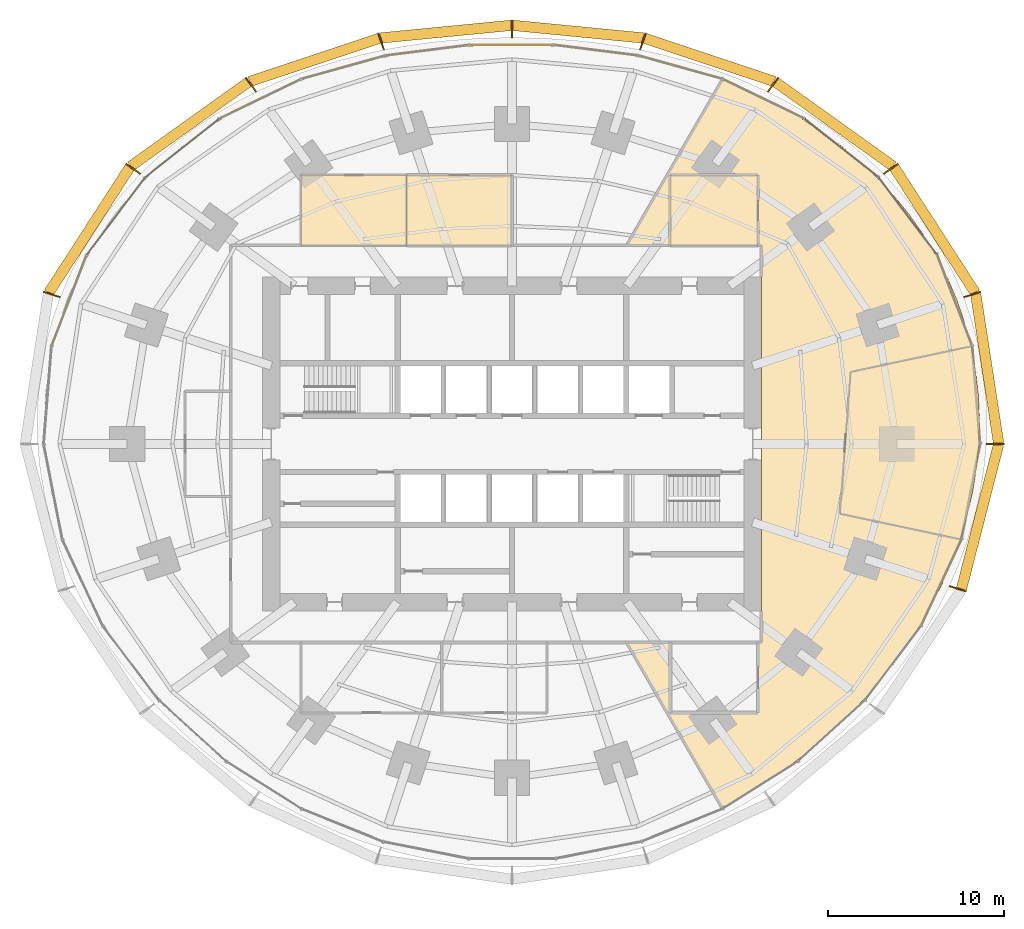
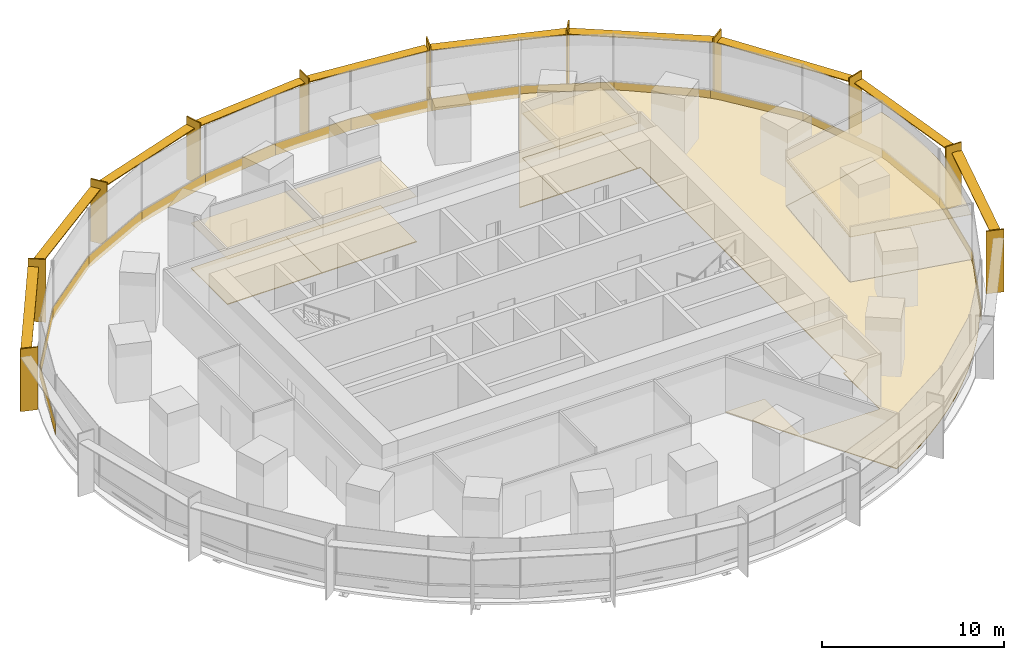
# One storey, part 15 of 15: 25 coverings, 21 shading devices.
"""IFC4 building model written with IfcOpenShell, lengths in metres."""

from ifc_helpers import new_model, si_unit, direction, frame, origin, origin_2d, place, context, subcontext, project, spatial, polyline, rectangle, outline, extrude, material, layer, layer_set, type_object, element, save


model = new_model("IFC4")

# Units and contexts
model_context = context("Model", 3, precision=1e-05, world=origin(), true_north=direction((0.0, 1.0)))
body_context = subcontext(model_context, "Body", "Model", "MODEL_VIEW")
ifc_project = project(units=[si_unit("LENGTHUNIT", "METRE"), si_unit("AREAUNIT", "SQUARE_METRE"), si_unit("VOLUMEUNIT", "CUBIC_METRE"), si_unit("PLANEANGLEUNIT", "RADIAN"), si_unit("MASSUNIT", "GRAM", prefix="KILO")], contexts=[model_context])

# Site, building, storey
site_placement = place(None, origin())
site = spatial("IfcSite", under=ifc_project, at=site_placement, CompositionType="ELEMENT")
building_placement = place(site_placement, origin())
building = spatial("IfcBuilding", under=site, at=building_placement, Name="Marramba Exchange Tower", CompositionType="ELEMENT")
storey_placement = place(building_placement, frame((0.0, 0.0, 78.39990234375)))
storey = spatial("IfcBuildingStorey", under=building, at=storey_placement, Name="L18", CompositionType="ELEMENT", Elevation=78.39990234375)

# Shading devices
ifc_material_1 = material(Name="Aluminium blade, timber-look bronze finish", Category="wood")
ifc_layer_1 = layer(ifc_material_1, 0.080078125)
ifc_layer_set_1 = layer_set([ifc_layer_1], Name="Floor-edge blade 1000x80")
shading_device_type_1 = type_object("IfcShadingDeviceType", Name="Floor-edge blade 1000x80", PredefinedType="USERDEFINED", material=ifc_layer_set_1)
for number, where, z_axis, x_axis, name in (
    (1, (27.5, 0.0, -0.15966796875), (0.0, 0.0, 1.0), (1.0, 0.0, 0.0), "Floor-edge blade FB1 L18 TC01"),
    (2, (26.193115234375, 8.5107421875, -0.15966796875), (0.0, 0.0, 1.0), (0.951056516295, 0.309016994375, 0.0), "Floor-edge blade FB1 L18 TC02"),
    (3, (21.56298828125, 15.66650390625, -0.15966796875), (0.0, 0.0, 1.0), (0.809016994375, 0.587785252292, 0.0), "Floor-edge blade FB1 L18 TC03"),
    (4, (14.857666015625, 20.449951171875, -0.15966796875), (0.0, 0.0, 1.0), (0.587785252292, 0.809016994375, 0.0), "Floor-edge blade FB1 L18 TC04"),
    (5, (7.444091796875, 22.910888671875, -0.15966796875), (0.0, 0.0, 1.0), (0.309016994375, 0.951056516295, 0.0), "Floor-edge blade FB1 L18 TC05"),
    (6, (0.0, 23.6279296875, -0.15966796875), (0.0, 0.0, 1.0), (0.0, 1.0, 0.0), "Floor-edge blade FB1 L18 TC06"),
    (7, (-7.444091796875, 22.910888671875, -0.15966796875), (0.0, 0.0, 1.0), (-0.309016994375, 0.951056516295, 0.0), "Floor-edge blade FB1 L18 TC07"),
    (8, (-14.857666015625, 20.449951171875, -0.15966796875), (0.0, 0.0, 1.0), (-0.587785252292, 0.809016994375, 0.0), "Floor-edge blade FB1 L18 TC08"),
    (9, (-21.56298828125, 15.66650390625, -0.15966796875), (0.0, 0.0, 1.0), (-0.809016994375, 0.587785252292, 0.0), "Floor-edge blade FB1 L18 TC09"),
    (10, (-26.193115234375, 8.5107421875, -0.15966796875), (0.0, 0.0, 1.0), (-0.951056516295, 0.309016994375, 0.0), "Floor-edge blade FB1 L18 TC10"),
    (11, (25.3740234375, -8.24462890625, -0.15966796875), (0.0, 0.0, 1.0), (0.951056516295, -0.309016994375, 0.0), "Floor-edge blade FB1 L18 TC20"),
):
    element("IfcShadingDevice", number, at=place(storey_placement, frame(where, z_axis=z_axis, x_axis=x_axis)), inside=storey, type_object=shading_device_type_1, Name=name, ObjectType="FIN", PredefinedType="USERDEFINED", context=body_context, shape_type="SweptSolid", body=[
        extrude(rectangle(XDim=1.0, YDim=0.080078125, at=origin_2d()), origin(), (0.0, 0.0, 1.0), 4.199951171875),
    ])

# Coverings
ifc_material_2 = material(Name="Steel raised access floor panels", Category="steel")
ifc_layer_2 = layer(ifc_material_2, 0.050048828125)
ifc_layer_set_2 = layer_set([ifc_layer_2], Name="Raised access floor 300")
covering_type_1 = type_object("IfcCoveringType", Name="Raised access floor 300", PredefinedType="FLOORING", material=ifc_layer_set_2)
covering_1_placement = place(storey_placement, frame((0.0, 0.0, 0.25)))
element("IfcCovering", 12, at=covering_1_placement, inside=storey, type_object=covering_type_1, Name="Raised access floor RAF1 L18 Market Operations Office", PredefinedType="FLOORING", context=body_context, shape_type="SweptSolid", body=[
    extrude(outline(polyline([(14.199951171875, -9.5), (14.199951171875, 9.5), (14.199951171875, 11.300048828125), (14.0, 11.300048828125), (14.0, 15.300048828125), (9.0, 15.300048828125), (9.0, 11.300048828125), (6.524169921875, 11.300048828125), (11.94921875, 20.69677734375), (13.135986328125, 20.2275390625), (14.31103515625, 19.697509765625), (15.4697265625, 19.103759765625), (16.60693359375, 18.44384765625), (17.71630859375, 17.71630859375), (18.791259765625, 16.919677734375), (19.8251953125, 16.05419921875), (20.810791015625, 15.119873046875), (21.740478515625, 14.118408203125), (22.607177734375, 13.05224609375), (23.40380859375, 11.9248046875), (24.12353515625, 10.740478515625), (24.76025390625, 9.50439453125), (25.30859375, 8.22314453125), (25.763916015625, 6.9033203125), (26.123291015625, 5.552734375), (19.276123046875, 4.097412109375), (18.659423828125, -3.96630859375), (25.50634765625, -5.421630859375), (25.033935546875, -6.707763671875), (24.489501953125, -7.95703125), (23.879150390625, -9.166259765625), (23.208251953125, -10.3330078125), (22.482177734375, -11.455322265625), (21.7060546875, -12.531982421875), (20.88427734375, -13.5625), (20.020751953125, -14.5458984375), (19.119384765625, -15.482421875), (18.1826171875, -16.371826171875), (17.213623046875, -17.213623046875), (16.21435546875, -18.0078125), (15.1865234375, -18.75390625), (14.132080078125, -19.451171875), (13.052490234375, -20.09912109375), (11.94921875, -20.69677734375), (6.524169921875, -11.300048828125), (9.0, -11.300048828125), (9.0, -15.300048828125), (14.0, -15.300048828125), (14.0, -11.300048828125), (14.199951171875, -11.300048828125), (14.199951171875, -9.5)])), origin(), (0.0, 0.0, 1.0), 0.050048828125),
])
covering_2_placement = place(storey_placement, frame((0.0, 0.0, 0.25)))
element("IfcCovering", 13, at=covering_2_placement, inside=storey, type_object=covering_type_1, Name="Raised access floor RAF1 L18 Market Control Room", PredefinedType="FLOORING", context=body_context, shape_type="SweptSolid", body=[
    extrude(outline(polyline([(26.2470703125, 4.89990234375), (26.3837890625, 4.1787109375), (26.45703125, 3.54736328125), (26.544921875, 2.7900390625), (26.6064453125, 1.394287109375), (26.570068359375, 0.0), (26.43798828125, -1.385498046875), (26.213623046875, -2.755126953125), (26.025390625, -3.566650390625), (25.9013671875, -4.102294921875), (25.69873046875, -4.779541015625), (25.50634765625, -5.421630859375), (18.659423828125, -3.96630859375), (19.276123046875, 4.097412109375), (26.123291015625, 5.552734375), (26.2470703125, 4.89990234375)])), origin(), (0.0, 0.0, 1.0), 0.050048828125),
])
covering_3_placement = place(storey_placement, frame((0.0, 0.0, 0.25)))
element("IfcCovering", 14, at=covering_3_placement, inside=storey, type_object=covering_type_1, Name="Raised access floor RAF1 L18 Meeting Room 1", PredefinedType="FLOORING", context=body_context, shape_type="SweptSolid", body=[
    extrude(outline(polyline([(14.0, 11.300048828125), (9.0, 11.300048828125), (9.0, 15.300048828125), (14.0, 15.300048828125), (14.0, 11.300048828125)])), origin(), (0.0, 0.0, 1.0), 0.050048828125),
])
covering_4_placement = place(storey_placement, frame((0.0, 0.0, 0.25)))
element("IfcCovering", 15, at=covering_4_placement, inside=storey, type_object=covering_type_1, Name="Raised access floor RAF1 L18 Settlements Office", PredefinedType="FLOORING", context=body_context, shape_type="SweptSolid", body=[
    extrude(outline(polyline([(-6.0, 11.300048828125), (-12.0, 11.300048828125), (-12.0, 15.300048828125), (-6.0, 15.300048828125), (-6.0, 11.300048828125)])), origin(), (0.0, 0.0, 1.0), 0.050048828125),
])
covering_5_placement = place(storey_placement, frame((0.0, 0.0, 0.25)))
element("IfcCovering", 16, at=covering_5_placement, inside=storey, type_object=covering_type_1, Name="Raised access floor RAF1 L18 Meeting Room 2", PredefinedType="FLOORING", context=body_context, shape_type="SweptSolid", body=[
    extrude(outline(polyline([(0.0, 11.300048828125), (-6.0, 11.300048828125), (-6.0, 15.300048828125), (0.0, 15.300048828125), (0.0, 11.300048828125)])), origin(), (0.0, 0.0, 1.0), 0.050048828125),
])

# Shading devices
ifc_material_3 = material(Name="Aluminium sunshade, bronze anodised", Category="aluminium")
ifc_layer_3 = layer(ifc_material_3, 0.06005859375)
ifc_layer_set_3 = layer_set([ifc_layer_3], Name="SUNSHADE blade 600x60")
shading_device_type_2 = type_object("IfcShadingDeviceType", Name="SUNSHADE blade 600x60", PredefinedType="USERDEFINED", material=ifc_layer_set_3)
shading_device_1_placement = place(storey_placement, frame((27.04150390625, 4.2861328125, 3.4599609375), z_axis=(0.0, 0.0, 1.0), x_axis=(-0.151825486228, 0.988407315701, 0.0)))
element("IfcShadingDevice", 17, at=shading_device_1_placement, inside=storey, type_object=shading_device_type_2, Name="Sunshade SS1 L18 bay 01", ObjectType="SUNSHADE", PredefinedType="USERDEFINED", context=body_context, shape_type="SweptSolid", body=[
    extrude(rectangle(XDim=8.593017578125, YDim=0.60009765625, at=origin_2d()), origin(), (0.0, 0.0, 1.0), 0.06005859375),
])
shading_device_2_placement = place(storey_placement, frame((24.053955078125, 12.17822265625, 3.4599609375), z_axis=(0.0, 0.0, 1.0), x_axis=(-0.542596596948, 0.839993412462, 0.0)))
element("IfcShadingDevice", 18, at=shading_device_2_placement, inside=storey, type_object=shading_device_type_2, Name="Sunshade SS1 L18 bay 02", ObjectType="SUNSHADE", PredefinedType="USERDEFINED", context=body_context, shape_type="SweptSolid", body=[
    extrude(rectangle(XDim=8.50537109375, YDim=0.60009765625, at=origin_2d()), origin(), (0.0, 0.0, 1.0), 0.06005859375),
])
shading_device_3_placement = place(storey_placement, frame((18.35009765625, 18.19775390625, 3.4599609375), z_axis=(0.0, 0.0, 1.0), x_axis=(-0.813362978246, 0.581756534659, 0.0)))
element("IfcShadingDevice", 19, at=shading_device_3_placement, inside=storey, type_object=shading_device_type_2, Name="Sunshade SS1 L18 bay 03", ObjectType="SUNSHADE", PredefinedType="USERDEFINED", context=body_context, shape_type="SweptSolid", body=[
    extrude(rectangle(XDim=8.218505859375, YDim=0.60009765625, at=origin_2d()), origin(), (0.0, 0.0, 1.0), 0.06005859375),
])
shading_device_4_placement = place(storey_placement, frame((11.24072265625, 21.8564453125, 3.4599609375), z_axis=(0.0, 0.0, 1.0), x_axis=(-0.948697789537, 0.316184288235, 0.0)))
element("IfcShadingDevice", 20, at=shading_device_4_placement, inside=storey, type_object=shading_device_type_2, Name="Sunshade SS1 L18 bay 04", ObjectType="SUNSHADE", PredefinedType="USERDEFINED", context=body_context, shape_type="SweptSolid", body=[
    extrude(rectangle(XDim=7.793212890625, YDim=0.60009765625, at=origin_2d()), origin(), (0.0, 0.0, 1.0), 0.06005859375),
])
for number, where, z_axis, x_axis, name in (
    (21, (3.7529296875, 23.464599609375, 3.4599609375), (0.0, 0.0, 1.0), (-0.995342876176, 0.096397919302, 0.0), "Sunshade SS1 L18 bay 05"),
    (22, (-3.7529296875, 23.464599609375, 3.4599609375), (0.0, 0.0, 1.0), (-0.995342876176, -0.096397919302, 0.0), "Sunshade SS1 L18 bay 06"),
):
    element("IfcShadingDevice", number, at=place(storey_placement, frame(where, z_axis=z_axis, x_axis=x_axis)), inside=storey, type_object=shading_device_type_2, Name=name, ObjectType="SUNSHADE", PredefinedType="USERDEFINED", context=body_context, shape_type="SweptSolid", body=[
        extrude(rectangle(XDim=7.461181640625, YDim=0.60009765625, at=origin_2d()), origin(), (0.0, 0.0, 1.0), 0.06005859375),
    ])
shading_device_5_placement = place(storey_placement, frame((-11.24072265625, 21.8564453125, 3.4599609375), z_axis=(0.0, 0.0, 1.0), x_axis=(-0.948697789537, -0.316184288235, 0.0)))
element("IfcShadingDevice", 23, at=shading_device_5_placement, inside=storey, type_object=shading_device_type_2, Name="Sunshade SS1 L18 bay 07", ObjectType="SUNSHADE", PredefinedType="USERDEFINED", context=body_context, shape_type="SweptSolid", body=[
    extrude(rectangle(XDim=7.793212890625, YDim=0.60009765625, at=origin_2d()), origin(), (0.0, 0.0, 1.0), 0.06005859375),
])
shading_device_6_placement = place(storey_placement, frame((-18.35009765625, 18.19775390625, 3.4599609375), z_axis=(0.0, 0.0, 1.0), x_axis=(-0.813362978246, -0.581756534659, 0.0)))
element("IfcShadingDevice", 24, at=shading_device_6_placement, inside=storey, type_object=shading_device_type_2, Name="Sunshade SS1 L18 bay 08", ObjectType="SUNSHADE", PredefinedType="USERDEFINED", context=body_context, shape_type="SweptSolid", body=[
    extrude(rectangle(XDim=8.218505859375, YDim=0.60009765625, at=origin_2d()), origin(), (0.0, 0.0, 1.0), 0.06005859375),
])
shading_device_7_placement = place(storey_placement, frame((-24.053955078125, 12.17822265625, 3.4599609375), z_axis=(0.0, 0.0, 1.0), x_axis=(-0.542596596948, -0.839993412462, 0.0)))
element("IfcShadingDevice", 25, at=shading_device_7_placement, inside=storey, type_object=shading_device_type_2, Name="Sunshade SS1 L18 bay 09", ObjectType="SUNSHADE", PredefinedType="USERDEFINED", context=body_context, shape_type="SweptSolid", body=[
    extrude(rectangle(XDim=8.50537109375, YDim=0.60009765625, at=origin_2d()), origin(), (0.0, 0.0, 1.0), 0.06005859375),
])
shading_device_8_placement = place(storey_placement, frame((26.632080078125, -4.153076171875, 3.4599609375), z_axis=(0.0, 0.0, 1.0), x_axis=(0.249024641331, 0.968497149201, 0.0)))
element("IfcShadingDevice", 26, at=shading_device_8_placement, inside=storey, type_object=shading_device_type_2, Name="Sunshade SS1 L18 bay 20", ObjectType="SUNSHADE", PredefinedType="USERDEFINED", context=body_context, shape_type="SweptSolid", body=[
    extrude(rectangle(XDim=8.49658203125, YDim=0.60009765625, at=origin_2d()), origin(), (0.0, 0.0, 1.0), 0.06005859375),
])

# Coverings
ifc_material_4 = material(Name="Aluminium spandrel panel, bronze anodised, insulated", Category="aluminium")
ifc_layer_4 = layer(ifc_material_4, 0.050048828125)
ifc_layer_set_4 = layer_set([ifc_layer_4], Name="Spandrel panel 800")
covering_type_2 = type_object("IfcCoveringType", Name="Spandrel panel 800", PredefinedType="CLADDING", material=ifc_layer_set_4)
covering_6_placement = place(storey_placement, frame((26.42578125, 2.78466796875, 0.0), z_axis=(0.0, 0.0, 1.0), x_axis=(-0.080275227657, 0.996772736297, 0.0)))
element("IfcCovering", 27, at=covering_6_placement, inside=storey, type_object=covering_type_2, Name="Spandrel panel SP1 L18 F01", PredefinedType="CLADDING", context=body_context, shape_type="SweptSolid", body=[
    extrude(rectangle(XDim=5.58740234375, YDim=0.050048828125, at=origin_2d()), origin(), (0.0, 0.0, 1.0), 0.800048828125),
])
covering_7_placement = place(storey_placement, frame((25.198974609375, 8.171142578125, 0.0), z_axis=(0.0, 0.0, 1.0), x_axis=(-0.359525512701, 0.933135255854, 0.0)))
element("IfcCovering", 28, at=covering_7_placement, inside=storey, type_object=covering_type_2, Name="Spandrel panel SP1 L18 F02", PredefinedType="CLADDING", context=body_context, shape_type="SweptSolid", body=[
    extrude(rectangle(XDim=5.57666015625, YDim=0.050048828125, at=origin_2d()), origin(), (0.0, 0.0, 1.0), 0.800048828125),
])
covering_8_placement = place(storey_placement, frame((22.535888671875, 12.969970703125, 0.0), z_axis=(0.0, 0.0, 1.0), x_axis=(-0.602989761876, 0.797748924834, 0.0)))
element("IfcCovering", 29, at=covering_8_placement, inside=storey, type_object=covering_type_2, Name="Spandrel panel SP1 L18 F03", PredefinedType="CLADDING", context=body_context, shape_type="SweptSolid", body=[
    extrude(rectangle(XDim=5.5078125, YDim=0.050048828125, at=origin_2d()), origin(), (0.0, 0.0, 1.0), 0.800048828125),
])
covering_9_placement = place(storey_placement, frame((18.767822265625, 16.8349609375, 0.0), z_axis=(0.0, 0.0, 1.0), x_axis=(-0.784087946735, 0.620649733574, 0.0)))
element("IfcCovering", 30, at=covering_9_placement, inside=storey, type_object=covering_type_2, Name="Spandrel panel SP1 L18 F04", PredefinedType="CLADDING", context=body_context, shape_type="SweptSolid", body=[
    extrude(rectangle(XDim=5.375732421875, YDim=0.050048828125, at=origin_2d()), origin(), (0.0, 0.0, 1.0), 0.800048828125),
])
covering_10_placement = place(storey_placement, frame((14.324951171875, 19.634765625, 0.0), z_axis=(0.0, 0.0, 1.0), x_axis=(-0.899963432359, 0.435965389012, 0.0)))
element("IfcCovering", 31, at=covering_10_placement, inside=storey, type_object=covering_type_2, Name="Spandrel panel SP1 L18 F05", PredefinedType="CLADDING", context=body_context, shape_type="SweptSolid", body=[
    extrude(rectangle(XDim=5.1904296875, YDim=0.050048828125, at=origin_2d()), origin(), (0.0, 0.0, 1.0), 0.800048828125),
])
covering_11_placement = place(storey_placement, frame((9.58544921875, 21.434326171875, 0.0), z_axis=(0.0, 0.0, 1.0), x_axis=(-0.963472098411, 0.267808729475, 0.0)))
element("IfcCovering", 32, at=covering_11_placement, inside=storey, type_object=covering_type_2, Name="Spandrel panel SP1 L18 F06", PredefinedType="CLADDING", context=body_context, shape_type="SweptSolid", body=[
    extrude(rectangle(XDim=4.989990234375, YDim=0.050048828125, at=origin_2d()), origin(), (0.0, 0.0, 1.0), 0.800048828125),
])
covering_12_placement = place(storey_placement, frame((4.783935546875, 22.404296875, 0.0), z_axis=(0.0, 0.0, 1.0), x_axis=(-0.992172768222, 0.124872727203, 0.0)))
element("IfcCovering", 33, at=covering_12_placement, inside=storey, type_object=covering_type_2, Name="Spandrel panel SP1 L18 F07", PredefinedType="CLADDING", context=body_context, shape_type="SweptSolid", body=[
    extrude(rectangle(XDim=4.832763671875, YDim=0.050048828125, at=origin_2d()), origin(), (0.0, 0.0, 1.0), 0.800048828125),
])
covering_13_placement = place(storey_placement, frame((0.0, 22.7060546875, 0.0), z_axis=(0.0, 0.0, 1.0), x_axis=(-1.0, 0.0, 0.0)))
element("IfcCovering", 34, at=covering_13_placement, inside=storey, type_object=covering_type_2, Name="Spandrel panel SP1 L18 F08", PredefinedType="CLADDING", context=body_context, shape_type="SweptSolid", body=[
    extrude(rectangle(XDim=4.77294921875, YDim=0.050048828125, at=origin_2d()), origin(), (0.0, 0.0, 1.0), 0.800048828125),
])
covering_14_placement = place(storey_placement, frame((-4.783935546875, 22.404296875, 0.0), z_axis=(0.0, 0.0, 1.0), x_axis=(-0.992172768222, -0.124872727203, 0.0)))
element("IfcCovering", 35, at=covering_14_placement, inside=storey, type_object=covering_type_2, Name="Spandrel panel SP1 L18 F09", PredefinedType="CLADDING", context=body_context, shape_type="SweptSolid", body=[
    extrude(rectangle(XDim=4.832763671875, YDim=0.050048828125, at=origin_2d()), origin(), (0.0, 0.0, 1.0), 0.800048828125),
])
covering_15_placement = place(storey_placement, frame((-9.58544921875, 21.434326171875, 0.0), z_axis=(0.0, 0.0, 1.0), x_axis=(-0.963472098411, -0.267808729475, 0.0)))
element("IfcCovering", 36, at=covering_15_placement, inside=storey, type_object=covering_type_2, Name="Spandrel panel SP1 L18 F10", PredefinedType="CLADDING", context=body_context, shape_type="SweptSolid", body=[
    extrude(rectangle(XDim=4.989990234375, YDim=0.050048828125, at=origin_2d()), origin(), (0.0, 0.0, 1.0), 0.800048828125),
])
covering_16_placement = place(storey_placement, frame((-14.324951171875, 19.634765625, 0.0), z_axis=(0.0, 0.0, 1.0), x_axis=(-0.899963432359, -0.435965389012, 0.0)))
element("IfcCovering", 37, at=covering_16_placement, inside=storey, type_object=covering_type_2, Name="Spandrel panel SP1 L18 F11", PredefinedType="CLADDING", context=body_context, shape_type="SweptSolid", body=[
    extrude(rectangle(XDim=5.1904296875, YDim=0.050048828125, at=origin_2d()), origin(), (0.0, 0.0, 1.0), 0.800048828125),
])
covering_17_placement = place(storey_placement, frame((-18.767822265625, 16.8349609375, 0.0), z_axis=(0.0, 0.0, 1.0), x_axis=(-0.784087946735, -0.620649733574, 0.0)))
element("IfcCovering", 38, at=covering_17_placement, inside=storey, type_object=covering_type_2, Name="Spandrel panel SP1 L18 F12", PredefinedType="CLADDING", context=body_context, shape_type="SweptSolid", body=[
    extrude(rectangle(XDim=5.375732421875, YDim=0.050048828125, at=origin_2d()), origin(), (0.0, 0.0, 1.0), 0.800048828125),
])
covering_18_placement = place(storey_placement, frame((-22.535888671875, 12.969970703125, 0.0), z_axis=(0.0, 0.0, 1.0), x_axis=(-0.602989761876, -0.797748924834, 0.0)))
element("IfcCovering", 39, at=covering_18_placement, inside=storey, type_object=covering_type_2, Name="Spandrel panel SP1 L18 F13", PredefinedType="CLADDING", context=body_context, shape_type="SweptSolid", body=[
    extrude(rectangle(XDim=5.5078125, YDim=0.050048828125, at=origin_2d()), origin(), (0.0, 0.0, 1.0), 0.800048828125),
])
covering_19_placement = place(storey_placement, frame((-25.198974609375, 8.171142578125, 0.0), z_axis=(0.0, 0.0, 1.0), x_axis=(-0.359525512701, -0.933135255854, 0.0)))
element("IfcCovering", 40, at=covering_19_placement, inside=storey, type_object=covering_type_2, Name="Spandrel panel SP1 L18 F14", PredefinedType="CLADDING", context=body_context, shape_type="SweptSolid", body=[
    extrude(rectangle(XDim=5.57666015625, YDim=0.050048828125, at=origin_2d()), origin(), (0.0, 0.0, 1.0), 0.800048828125),
])
covering_20_placement = place(storey_placement, frame((24.432861328125, -7.90185546875, 0.0), z_axis=(0.0, 0.0, 1.0), x_axis=(0.423477213559, 0.905906755464, 0.0)))
element("IfcCovering", 41, at=covering_20_placement, inside=storey, type_object=covering_type_2, Name="Spandrel panel SP1 L18 F29", PredefinedType="CLADDING", context=body_context, shape_type="SweptSolid", body=[
    extrude(rectangle(XDim=5.439208984375, YDim=0.050048828125, at=origin_2d()), origin(), (0.0, 0.0, 1.0), 0.800048828125),
])
covering_21_placement = place(storey_placement, frame((26.117431640625, -2.718994140625, 0.0), z_axis=(0.0, 0.0, 1.0), x_axis=(0.19224858127, 0.981346260501, 0.0)))
element("IfcCovering", 42, at=covering_21_placement, inside=storey, type_object=covering_type_2, Name="Spandrel panel SP1 L18 F30", PredefinedType="CLADDING", context=body_context, shape_type="SweptSolid", body=[
    extrude(rectangle(XDim=5.54150390625, YDim=0.050048828125, at=origin_2d()), origin(), (0.0, 0.0, 1.0), 0.800048828125),
])
ifc_material_5 = material(Name="Mineral fibre ceiling tiles", Category="gypsum")
ifc_layer_5 = layer(ifc_material_5, 0.02001953125)
ifc_layer_set_5 = layer_set([ifc_layer_5], Name="Suspended ceiling 20")
covering_type_3 = type_object("IfcCoveringType", Name="Suspended ceiling 20", PredefinedType="CEILING", material=ifc_layer_set_5)
covering_22_placement = place(storey_placement, frame((0.0, 0.0, 3.300048828125)))
element("IfcCovering", 43, at=covering_22_placement, inside=storey, type_object=covering_type_3, Name="Ceiling CL1 L18 Market Control Room", PredefinedType="CEILING", context=body_context, shape_type="SweptSolid", body=[
    extrude(outline(polyline([(26.2470703125, 4.89990234375), (26.3837890625, 4.1787109375), (26.45703125, 3.54736328125), (26.544921875, 2.7900390625), (26.6064453125, 1.394287109375), (26.570068359375, 0.0), (26.43798828125, -1.385498046875), (26.213623046875, -2.755126953125), (26.025390625, -3.566650390625), (25.9013671875, -4.102294921875), (25.69873046875, -4.779541015625), (25.50634765625, -5.421630859375), (18.659423828125, -3.96630859375), (19.276123046875, 4.097412109375), (26.123291015625, 5.552734375), (26.2470703125, 4.89990234375)])), origin(), (0.0, 0.0, 1.0), 0.02001953125),
])
covering_23_placement = place(storey_placement, frame((0.0, 0.0, 3.300048828125)))
element("IfcCovering", 44, at=covering_23_placement, inside=storey, type_object=covering_type_3, Name="Ceiling CL1 L18 Meeting Room 1", PredefinedType="CEILING", context=body_context, shape_type="SweptSolid", body=[
    extrude(outline(polyline([(14.0, 11.300048828125), (9.0, 11.300048828125), (9.0, 15.300048828125), (14.0, 15.300048828125), (14.0, 11.300048828125)])), origin(), (0.0, 0.0, 1.0), 0.02001953125),
])
covering_24_placement = place(storey_placement, frame((0.0, 0.0, 3.300048828125)))
element("IfcCovering", 45, at=covering_24_placement, inside=storey, type_object=covering_type_3, Name="Ceiling CL1 L18 Settlements Office", PredefinedType="CEILING", context=body_context, shape_type="SweptSolid", body=[
    extrude(outline(polyline([(-6.0, 11.300048828125), (-12.0, 11.300048828125), (-12.0, 15.300048828125), (-6.0, 15.300048828125), (-6.0, 11.300048828125)])), origin(), (0.0, 0.0, 1.0), 0.02001953125),
])
covering_25_placement = place(storey_placement, frame((0.0, 0.0, 3.300048828125)))
element("IfcCovering", 46, at=covering_25_placement, inside=storey, type_object=covering_type_3, Name="Ceiling CL1 L18 Meeting Room 2", PredefinedType="CEILING", context=body_context, shape_type="SweptSolid", body=[
    extrude(outline(polyline([(0.0, 11.300048828125), (-6.0, 11.300048828125), (-6.0, 15.300048828125), (0.0, 15.300048828125), (0.0, 11.300048828125)])), origin(), (0.0, 0.0, 1.0), 0.02001953125),
])

save(model, "model.ifc")
